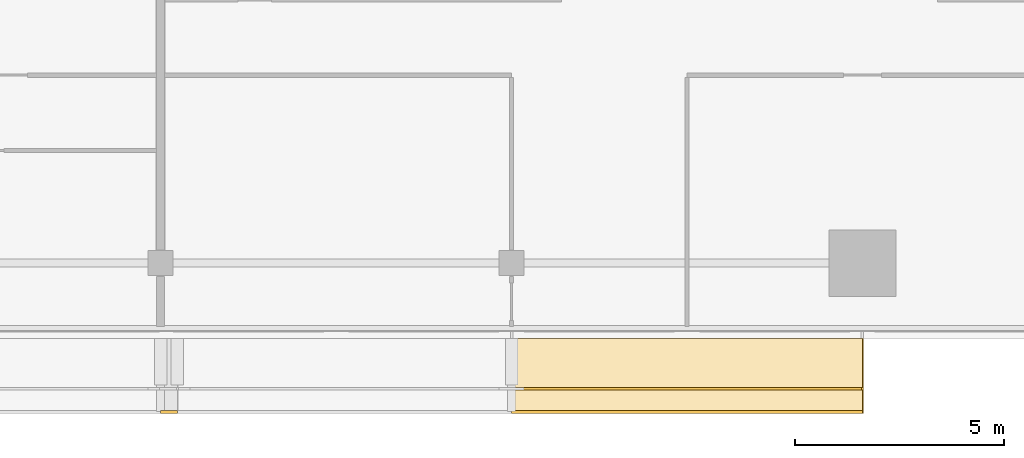
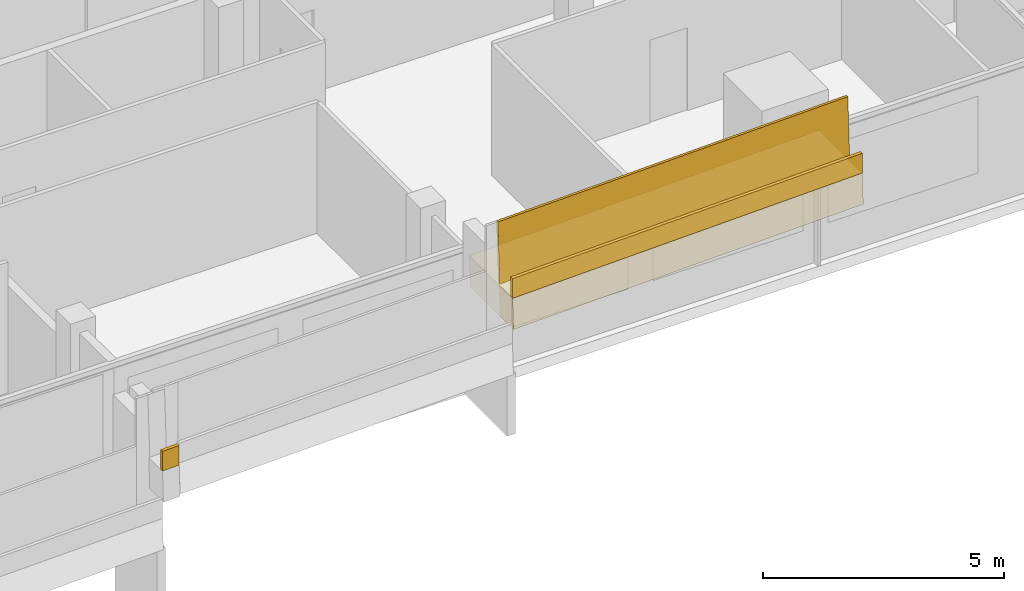
# One storey, part 27 of 27: 3 coverings, 1 railing.
"""IFC4 building model written with IfcOpenShell, lengths in metres."""

from ifc_helpers import new_model, si_unit, direction, frame, origin, origin_2d, place, context, subcontext, project, spatial, polyline, rectangle, outline, extrude, material, layer, layer_set, type_object, element, save


model = new_model("IFC4")

# Units and contexts
model_context = context("Model", 3, precision=1e-05, world=origin(), true_north=direction((0.0, 1.0)))
body_context = subcontext(model_context, "Body", "Model", "MODEL_VIEW")
ifc_project = project(units=[si_unit("LENGTHUNIT", "METRE"), si_unit("AREAUNIT", "SQUARE_METRE"), si_unit("VOLUMEUNIT", "CUBIC_METRE"), si_unit("PLANEANGLEUNIT", "RADIAN"), si_unit("MASSUNIT", "GRAM", prefix="KILO")], contexts=[model_context])

# Site, building, storey
site_placement = place(None, origin())
site = spatial("IfcSite", under=ifc_project, at=site_placement, CompositionType="ELEMENT")
building_placement = place(site_placement, origin())
building = spatial("IfcBuilding", under=site, at=building_placement, Name="Saffron Gate Tower", CompositionType="ELEMENT")
storey_placement = place(building_placement, frame((0.0, 0.0, 234.300048828125)))
storey = spatial("IfcBuildingStorey", under=building, at=storey_placement, Name="L57", CompositionType="ELEMENT", Elevation=234.300048828125)

# Coverings
ifc_material = material(Name="Timber, thermally modified ash", Category="wood")
ifc_layer_1 = layer(ifc_material, 0.800048828125)
ifc_layer_set_1 = layer_set([ifc_layer_1], Name="LD1 ledge timber")
covering_type_1 = type_object("IfcCoveringType", Name="LD1 ledge timber", PredefinedType="CLADDING", material=ifc_layer_set_1)
covering_1_placement = place(storey_placement, frame((108.60009765625, 30.0, 3.213134765625), z_axis=(-0.028820203882, 0.0, 0.99958461165), x_axis=(0.99958461165, 0.0, 0.028820203882)))
element("IfcCovering", 1, at=covering_1_placement, inside=storey, type_object=covering_type_1, Name="LEDGE", PredefinedType="CLADDING", context=body_context, shape_type="SweptSolid", body=[
    extrude(outline(polyline([(0.0, 0.0), (8.40339301530596, 0.0), (8.40339301530596, -1.800048828125), (0.0, -1.800048828125), (0.0, 0.0)])), origin(), (0.0, 0.0, -1.0), 0.800048828125),
])
ifc_layer_2 = layer(ifc_material, 0.080078125)
ifc_layer_set_2 = layer_set([ifc_layer_2], Name="LD2 ledge planter trough")
covering_type_2 = type_object("IfcCoveringType", Name="LD2 ledge planter trough", PredefinedType="CLADDING", material=ifc_layer_set_2)
covering_2_placement = place(storey_placement, frame((100.199951171875, 28.199951171875, 1.77099609375), z_axis=(0.0, -1.0, 0.0), x_axis=(0.999589096284, 0.0, 0.028664238881)))
element("IfcCovering", 2, at=covering_2_placement, inside=storey, type_object=covering_type_2, Name="LEDGE planter trough", PredefinedType="CLADDING", context=body_context, shape_type="SweptSolid", body=[
    extrude(outline(polyline([(0.0, 0.0), (0.40031097364171886, -1.734723475976807e-18), (0.4146430930820291, 0.4997945481418826), (0.014332119440310242, 0.4997945481418827), (0.0, 0.0)])), origin(), (0.0, 0.0, -1.0), 0.080078125),
])
covering_3_placement = place(storey_placement, frame((108.60009765625, 28.199951171875, 3.213134765625), z_axis=(0.0, -1.0, 0.0), x_axis=(0.99958461165, 0.0, 0.028820203882)))
element("IfcCovering", 3, at=covering_3_placement, inside=storey, type_object=covering_type_2, Name="LEDGE planter trough", PredefinedType="CLADDING", context=body_context, shape_type="SweptSolid", body=[
    extrude(outline(polyline([(0.0, 0.0), (8.40339301530596, 0.0), (8.41780311724686, 0.49979230582518264), (0.014410101940899296, 0.49979230582518264), (0.0, 0.0)])), origin(), (0.0, 0.0, -1.0), 0.080078125),
])

# Railing
railing_type = type_object("IfcRailingType", Name="LG1 ledge balustrade", PredefinedType="BALUSTRADE", material=ifc_material)
railing_placement = place(storey_placement, frame((108.60009765625, 28.800048828125, 3.213134765625)))
element("IfcRailing", 4, at=railing_placement, inside=storey, type_object=railing_type, Name="LEDGE BALUSTRADE", PredefinedType="BALUSTRADE", context=body_context, shape_type="SweptSolid", body=[
    extrude(rectangle(XDim=0.06005859375, YDim=1.60009765625, at=origin_2d()), frame((0.0, 0.0, 0.800048828125), z_axis=(0.99958461165, 0.0, 0.028820203882), x_axis=(0.0, 1.0, 0.0)), (0.0, 0.0, 1.0), 8.4033203125),
])

save(model, "model.ifc")
